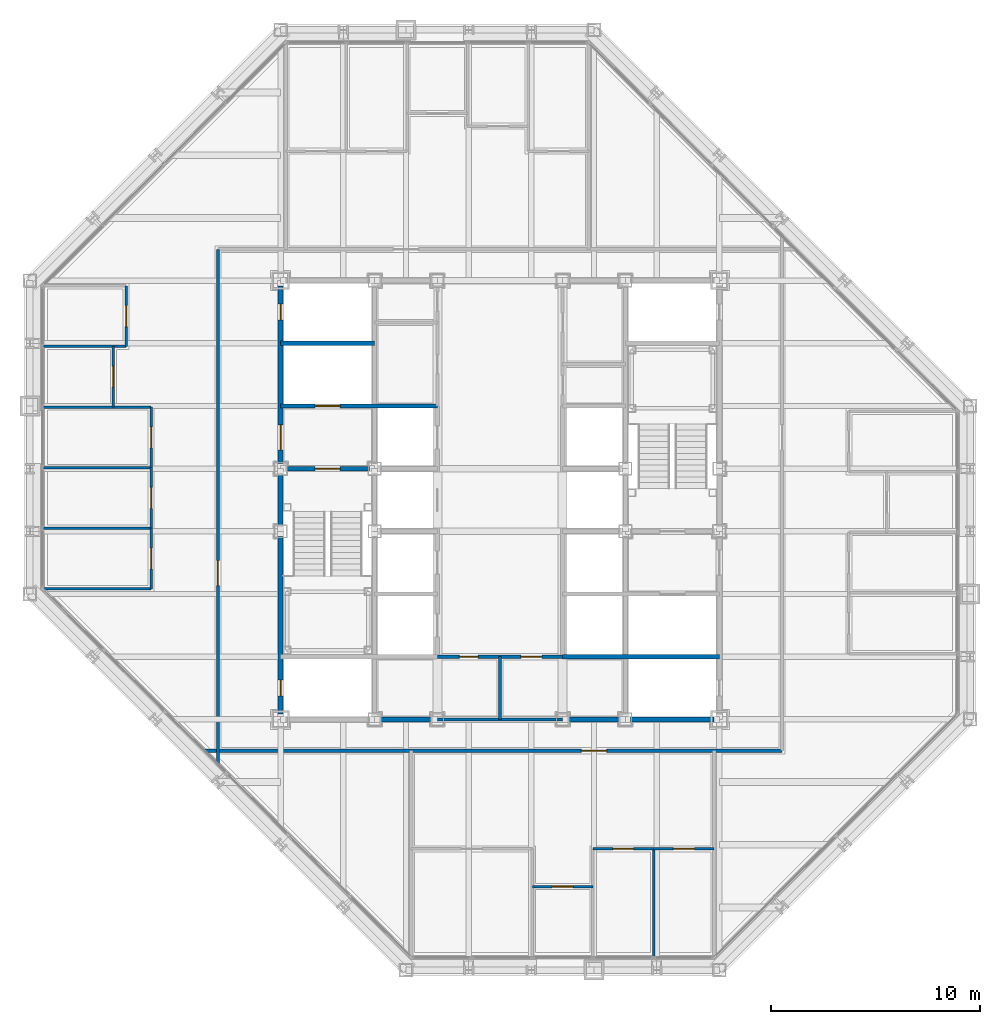
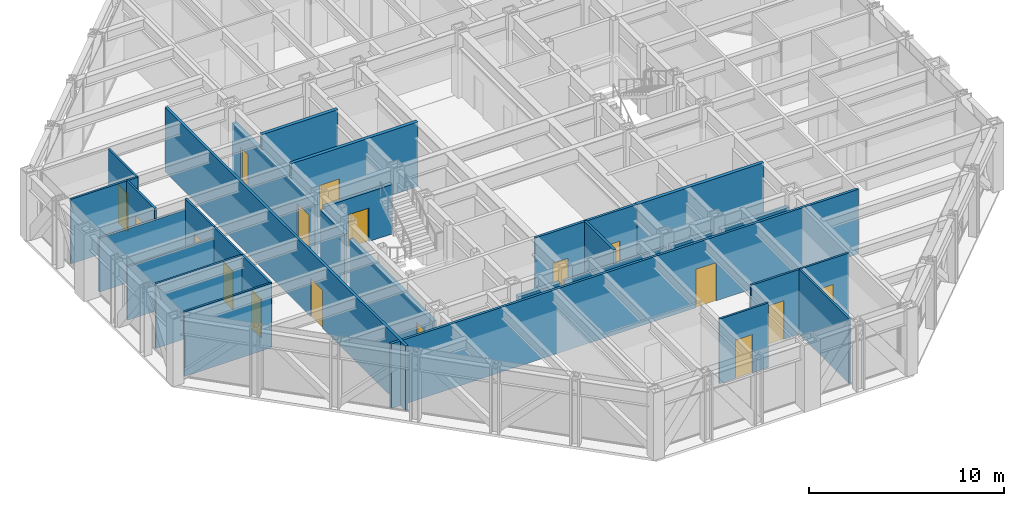
# One storey, part 11 of 16: 29 walls, 17 doors, 17 openings.
"""IFC4 building model written with IfcOpenShell, lengths in metres."""

from ifc_helpers import new_model, si_unit, direction, frame, frame_2d, origin, place, context, subcontext, project, spatial, rectangle, extrude, material, layer, layer_set, type_object, element, fill, save


model = new_model("IFC4")

# Units and contexts
model_context = context("Model", 3, precision=1e-05, world=origin(), true_north=direction((0.0, 1.0)))
body_context = subcontext(model_context, "Body", "Model", "MODEL_VIEW")
ifc_project = project(units=[si_unit("LENGTHUNIT", "METRE"), si_unit("AREAUNIT", "SQUARE_METRE"), si_unit("VOLUMEUNIT", "CUBIC_METRE"), si_unit("PLANEANGLEUNIT", "RADIAN"), si_unit("MASSUNIT", "GRAM", prefix="KILO")], contexts=[model_context])

# Site, building, storey
site_placement = place(None, origin())
site = spatial("IfcSite", under=ifc_project, at=site_placement, CompositionType="ELEMENT")
building_placement = place(site_placement, origin())
building = spatial("IfcBuilding", under=site, at=building_placement, Name="Chuquiago Exchange Tower", CompositionType="ELEMENT")
storey_placement = place(building_placement, frame((0.0, 0.0, 201.300048828125)))
storey = spatial("IfcBuildingStorey", under=building, at=storey_placement, Name="L44", CompositionType="ELEMENT", Elevation=201.300048828125)

# Wall, opening, door
ifc_material_1 = material(Name="Concrete masonry, fully grouted", Category="masonry")
ifc_layer_1 = layer(ifc_material_1, 0.25)
ifc_layer_set_1 = layer_set([ifc_layer_1], Name="W1 core wall 250")
wall_type_1 = type_object("IfcWallType", Name="W1 core wall 250", PredefinedType="SOLIDWALL", material=ifc_layer_set_1)
wall_1_placement = place(storey_placement, frame((12.0, 12.25, 0.0), z_axis=(0.0, 0.0, 1.0), x_axis=(0.0, 1.0, 0.0)))
wall_1 = element("IfcWall", 1, at=wall_1_placement, inside=storey, type_object=wall_type_1, Name="CW-L44-00-0", PredefinedType="SOLIDWALL", context=body_context, shape_type="SweptSolid", body=[
    extrude(rectangle(XDim=8.5, YDim=0.25, at=frame_2d((4.25, 0.0))), origin(), (0.0, 0.0, 1.0), 3.11279296875),
])
opening_1_placement = place(wall_1_placement, frame((0.875, 0.0, 0.0)))
opening_1 = element("IfcOpeningElement", 2, at=opening_1_placement, cuts=wall_1, Name="Opening L44-007", PredefinedType="OPENING", context=body_context, shape_type="SweptSolid", body=[
    extrude(rectangle(XDim=0.75, YDim=2.10009765625, at=frame_2d((0.375, 1.050048828125))), frame((0.0, 0.135009765625, 0.0), z_axis=(0.0, -1.0, 0.0), x_axis=(1.0, 0.0, 0.0)), (0.0, 0.0, 1.0), 0.27001953125),
])
ifc_material_2 = material(Name="Steel door, painted", Category="steel")
door_type_1 = type_object("IfcDoorType", Name="D6 riser access door 750x2100", OperationType="SINGLE_SWING_LEFT", PredefinedType="DOOR", material=ifc_material_2)
door_1_placement = place(opening_1_placement, origin())
door_1 = element("IfcDoor", 3, at=door_1_placement, inside=storey, type_object=door_type_1, Name="Riser RW1 door", OperationType="SINGLE_SWING_LEFT", OverallHeight=2.10009765625, OverallWidth=0.75, PredefinedType="DOOR", context=body_context, shape_type="SweptSolid", body=[
    extrude(rectangle(XDim=0.75, YDim=2.10009765625, at=frame_2d((0.375, 1.050048828125))), frame((0.0, 0.02490234375, 0.0), z_axis=(0.0, -1.0, 0.0), x_axis=(1.0, 0.0, 0.0)), (0.0, 0.0, 1.0), 0.050048828125),
])
fill(opening_1, door_1)

# Wall
wall_2_placement = place(storey_placement, frame((12.0, 21.25, 0.0), z_axis=(0.0, 0.0, 1.0), x_axis=(0.0, 1.0, 0.0)))
element("IfcWall", 4, at=wall_2_placement, inside=storey, type_object=wall_type_1, Name="CW-L44-00-1", PredefinedType="SOLIDWALL", context=body_context, shape_type="SweptSolid", body=[
    extrude(rectangle(XDim=2.5, YDim=0.25, at=frame_2d((1.25, 0.0))), origin(), (0.0, 0.0, 1.0), 3.11279296875),
])

# Wall, openings, doors
wall_3_placement = place(storey_placement, frame((12.0, 24.25, 0.0), z_axis=(0.0, 0.0, 1.0), x_axis=(0.0, 1.0, 0.0)))
wall_3 = element("IfcWall", 5, at=wall_3_placement, inside=storey, type_object=wall_type_1, Name="CW-L44-00-2", PredefinedType="SOLIDWALL", context=body_context, shape_type="SweptSolid", body=[
    extrude(rectangle(XDim=8.5, YDim=0.25, at=frame_2d((4.25, 0.0))), origin(), (0.0, 0.0, 1.0), 3.11279296875),
])
opening_2_placement = place(wall_3_placement, frame((0.64990234375, 0.0, 0.0)))
opening_2 = element("IfcOpeningElement", 6, at=opening_2_placement, cuts=wall_3, Name="Opening L44-002", PredefinedType="OPENING", context=body_context, shape_type="SweptSolid", body=[
    extrude(rectangle(XDim=1.199951171875, YDim=2.10009765625, at=frame_2d((0.60009765625, 1.050048828125))), frame((0.0, 0.135009765625, 0.0), z_axis=(0.0, -1.0, 0.0), x_axis=(1.0, 0.0, 0.0)), (0.0, 0.0, 1.0), 0.27001953125),
])
opening_3_placement = place(wall_3_placement, frame((6.875, 0.0, 0.0)))
opening_3 = element("IfcOpeningElement", 7, at=opening_3_placement, cuts=wall_3, Name="Opening L44-008", PredefinedType="OPENING", context=body_context, shape_type="SweptSolid", body=[
    extrude(rectangle(XDim=0.75, YDim=2.10009765625, at=frame_2d((0.375, 1.050048828125))), frame((0.0, 0.135009765625, 0.0), z_axis=(0.0, -1.0, 0.0), x_axis=(1.0, 0.0, 0.0)), (0.0, 0.0, 1.0), 0.27001953125),
])
ifc_material_3 = material(Name="Steel door, painted", Category="steel")
door_type_2 = type_object("IfcDoorType", Name="D5 firefighting lobby door 1200x2100", OperationType="SINGLE_SWING_LEFT", PredefinedType="DOOR", material=ifc_material_3)
door_2_placement = place(opening_2_placement, frame((1.199951171875, 0.0, 0.0), z_axis=(0.0, 0.0, 1.0), x_axis=(-1.0, 0.0, 0.0)))
door_2 = element("IfcDoor", 8, at=door_2_placement, inside=storey, type_object=door_type_2, Name="Firefighting lobby 1 door", OperationType="SINGLE_SWING_RIGHT", OverallHeight=2.10009765625, OverallWidth=1.199951171875, PredefinedType="DOOR", context=body_context, shape_type="SweptSolid", body=[
    extrude(rectangle(XDim=1.199951171875, YDim=2.10009765625, at=frame_2d((0.60009765625, 1.050048828125))), frame((0.0, 0.02490234375, 0.0), z_axis=(0.0, -1.0, 0.0), x_axis=(1.0, 0.0, 0.0)), (0.0, 0.0, 1.0), 0.050048828125),
])
fill(opening_2, door_2)
door_3_placement = place(opening_3_placement, origin())
door_3 = element("IfcDoor", 9, at=door_3_placement, inside=storey, type_object=door_type_1, Name="Riser RW2 door", OperationType="SINGLE_SWING_RIGHT", OverallHeight=2.10009765625, OverallWidth=0.75, PredefinedType="DOOR", context=body_context, shape_type="SweptSolid", body=[
    extrude(rectangle(XDim=0.75, YDim=2.10009765625, at=frame_2d((0.375, 1.050048828125))), frame((0.0, 0.02490234375, 0.0), z_axis=(0.0, -1.0, 0.0), x_axis=(1.0, 0.0, 0.0)), (0.0, 0.0, 1.0), 0.050048828125),
])
fill(opening_3, door_3)

# Walls
for number, where, z_axis, x_axis, name in (
    (10, (16.75, 12.0, 0.0), (0.0, 0.0, 1.0), (1.0, 0.0, 0.0), "CW-L44-01-1"),
    (11, (25.75, 12.0, 0.0), (0.0, 0.0, 1.0), (1.0, 0.0, 0.0), "CW-L44-02-0"),
):
    element("IfcWall", number, at=place(storey_placement, frame(where, z_axis=z_axis, x_axis=x_axis)), inside=storey, type_object=wall_type_1, Name=name, PredefinedType="SOLIDWALL", context=body_context, shape_type="SweptSolid", body=[
        extrude(rectangle(XDim=2.5, YDim=0.25, at=frame_2d((1.25, 0.0))), origin(), (0.0, 0.0, 1.0), 3.181396484375),
    ])
wall_4_placement = place(storey_placement, frame((28.75, 12.0, 0.0), z_axis=(0.0, 0.0, 1.0), x_axis=(1.0, 0.0, 0.0)))
element("IfcWall", 12, at=wall_4_placement, inside=storey, type_object=wall_type_1, Name="CW-L44-02-1", PredefinedType="SOLIDWALL", context=body_context, shape_type="SweptSolid", body=[
    extrude(rectangle(XDim=4.0, YDim=0.25, at=frame_2d((2.0, 0.0))), origin(), (0.0, 0.0, 1.0), 3.181396484375),
])

# Wall, opening, door
ifc_material_4 = material(Name="Gypsum board on steel studs, acoustic insulation", Category="steel")
ifc_layer_2 = layer(ifc_material_4, 0.14990234375)
ifc_layer_set_2 = layer_set([ifc_layer_2], Name="W11 corridor wall 150")
wall_type_2 = type_object("IfcWallType", Name="W11 corridor wall 150", PredefinedType="PARTITIONING", material=ifc_layer_set_2)
wall_5_placement = place(storey_placement, frame((8.385498046875, 10.5, 0.0), z_axis=(0.0, 0.0, 1.0), x_axis=(1.0, 0.0, 0.0)))
wall_5 = element("IfcWall", 13, at=wall_5_placement, inside=storey, type_object=wall_type_2, Name="PW-L44-CS", PredefinedType="PARTITIONING", context=body_context, shape_type="SweptSolid", body=[
    extrude(rectangle(XDim=27.614501953125, YDim=0.14990234375, at=frame_2d((13.80712890625, 0.0))), origin(), (0.0, 0.0, 1.0), 4.0400390625),
])
opening_4_placement = place(wall_5_placement, frame((18.014404296875, 0.0, 0.0)))
opening_4 = element("IfcOpeningElement", 14, at=opening_4_placement, cuts=wall_5, Name="Opening L44-039", PredefinedType="OPENING", context=body_context, shape_type="SweptSolid", body=[
    extrude(rectangle(XDim=1.199951171875, YDim=2.39990234375, at=frame_2d((0.60009765625, 1.199951171875))), frame((0.0, 0.0849609375, 0.0), z_axis=(0.0, -1.0, 0.0), x_axis=(1.0, 0.0, 0.0)), (0.0, 0.0, 1.0), 0.169921875),
])
ifc_material_5 = material(Name="Timber door, laminate faced", Category="wood")
door_type_3 = type_object("IfcDoorType", Name="D13 suite entrance door 1200x2400", OperationType="SINGLE_SWING_LEFT", PredefinedType="DOOR", material=ifc_material_5)
door_4_placement = place(opening_4_placement, frame((1.199951171875, 0.0, 0.0), z_axis=(0.0, 0.0, 1.0), x_axis=(-1.0, 0.0, 0.0)))
door_4 = element("IfcDoor", 15, at=door_4_placement, inside=storey, type_object=door_type_3, Name="South suite entrance door", OperationType="SINGLE_SWING_LEFT", OverallHeight=2.39990234375, OverallWidth=1.199951171875, PredefinedType="DOOR", context=body_context, shape_type="SweptSolid", body=[
    extrude(rectangle(XDim=1.199951171875, YDim=2.39990234375, at=frame_2d((0.60009765625, 1.199951171875))), frame((0.0, 0.02490234375, 0.0), z_axis=(0.0, -1.0, 0.0), x_axis=(1.0, 0.0, 0.0)), (0.0, 0.0, 1.0), 0.050048828125),
])
fill(opening_4, door_4)

wall_6_placement = place(storey_placement, frame((9.0, 9.885498046875, 0.0), z_axis=(0.0, 0.0, 1.0), x_axis=(0.0, 1.0, 0.0)))
wall_6 = element("IfcWall", 16, at=wall_6_placement, inside=storey, type_object=wall_type_2, Name="PW-L44-CW", PredefinedType="PARTITIONING", context=body_context, shape_type="SweptSolid", body=[
    extrude(rectangle(XDim=24.614501953125, YDim=0.14990234375, at=frame_2d((12.30712890625, 0.0))), origin(), (0.0, 0.0, 1.0), 4.0400390625),
])
opening_5_placement = place(wall_6_placement, frame((8.514404296875, 0.0, 0.0)))
opening_5 = element("IfcOpeningElement", 17, at=opening_5_placement, cuts=wall_6, Name="Opening L44-041", PredefinedType="OPENING", context=body_context, shape_type="SweptSolid", body=[
    extrude(rectangle(XDim=1.199951171875, YDim=2.39990234375, at=frame_2d((0.60009765625, 1.199951171875))), frame((0.0, 0.0849609375, 0.0), z_axis=(0.0, -1.0, 0.0), x_axis=(1.0, 0.0, 0.0)), (0.0, 0.0, 1.0), 0.169921875),
])
door_5_placement = place(opening_5_placement, origin())
door_5 = element("IfcDoor", 18, at=door_5_placement, inside=storey, type_object=door_type_3, Name="West suite entrance door", OperationType="SINGLE_SWING_LEFT", OverallHeight=2.39990234375, OverallWidth=1.199951171875, PredefinedType="DOOR", context=body_context, shape_type="SweptSolid", body=[
    extrude(rectangle(XDim=1.199951171875, YDim=2.39990234375, at=frame_2d((0.60009765625, 1.199951171875))), frame((0.0, 0.02490234375, 0.0), z_axis=(0.0, -1.0, 0.0), x_axis=(1.0, 0.0, 0.0)), (0.0, 0.0, 1.0), 0.050048828125),
])
fill(opening_5, door_5)

# Wall
ifc_material_6 = material(Name="Concrete masonry, fully grouted", Category="masonry")
ifc_layer_3 = layer(ifc_material_6, 0.199951171875)
ifc_layer_set_3 = layer_set([ifc_layer_3], Name="W2 shaft wall 200")
wall_type_3 = type_object("IfcWallType", Name="W2 shaft wall 200", PredefinedType="SOLIDWALL", material=ifc_layer_set_3)
wall_7_placement = place(storey_placement, frame((25.5, 15.0, 0.0), z_axis=(0.0, 0.0, 1.0), x_axis=(1.0, 0.0, 0.0)))
element("IfcWall", 19, at=wall_7_placement, inside=storey, type_object=wall_type_3, Name="CW-L44-04-0", PredefinedType="SOLIDWALL", context=body_context, shape_type="SweptSolid", body=[
    extrude(rectangle(XDim=7.5, YDim=0.199951171875, at=frame_2d((3.75, 0.0))), origin(), (0.0, 0.0, 1.0), 4.0400390625),
])

# Wall, opening, door
wall_8_placement = place(storey_placement, frame((12.25, 24.0, 0.0), z_axis=(0.0, 0.0, 1.0), x_axis=(1.0, 0.0, 0.0)))
wall_8 = element("IfcWall", 20, at=wall_8_placement, inside=storey, type_object=wall_type_3, Name="CW-L44-05-0", PredefinedType="SOLIDWALL", context=body_context, shape_type="SweptSolid", body=[
    extrude(rectangle(XDim=4.0, YDim=0.199951171875, at=frame_2d((2.0, 0.0))), origin(), (0.0, 0.0, 1.0), 3.08984375),
])
opening_6_placement = place(wall_8_placement, frame((1.39990234375, 0.0, 0.0)))
opening_6 = element("IfcOpeningElement", 21, at=opening_6_placement, cuts=wall_8, Name="Opening L44-001", PredefinedType="OPENING", context=body_context, shape_type="SweptSolid", body=[
    extrude(rectangle(XDim=1.199951171875, YDim=2.10009765625, at=frame_2d((0.60009765625, 1.050048828125))), frame((0.0, 0.10986328125, 0.0), z_axis=(0.0, -1.0, 0.0), x_axis=(1.0, 0.0, 0.0)), (0.0, 0.0, 1.0), 0.219970703125),
])
ifc_material_7 = material(Name="Steel door, painted", Category="steel")
door_type_4 = type_object("IfcDoorType", Name="D4 stair door 1200x2100", OperationType="SINGLE_SWING_LEFT", PredefinedType="DOOR", material=ifc_material_7)
door_6_placement = place(opening_6_placement, frame((1.199951171875, 0.0, 0.0), z_axis=(0.0, 0.0, 1.0), x_axis=(-1.0, 0.0, 0.0)))
door_6 = element("IfcDoor", 22, at=door_6_placement, inside=storey, type_object=door_type_4, Name="Stair ST1 door", OperationType="SINGLE_SWING_RIGHT", OverallHeight=2.10009765625, OverallWidth=1.199951171875, PredefinedType="DOOR", context=body_context, shape_type="SweptSolid", body=[
    extrude(rectangle(XDim=1.199951171875, YDim=2.10009765625, at=frame_2d((0.60009765625, 1.050048828125))), frame((0.0, 0.02490234375, 0.0), z_axis=(0.0, -1.0, 0.0), x_axis=(1.0, 0.0, 0.0)), (0.0, 0.0, 1.0), 0.050048828125),
])
fill(opening_6, door_6)

wall_9_placement = place(storey_placement, frame((12.0, 27.0, 0.0), z_axis=(0.0, 0.0, 1.0), x_axis=(1.0, 0.0, 0.0)))
wall_9 = element("IfcWall", 23, at=wall_9_placement, inside=storey, type_object=wall_type_3, Name="CW-L44-07-0", PredefinedType="SOLIDWALL", context=body_context, shape_type="SweptSolid", body=[
    extrude(rectangle(XDim=7.5, YDim=0.199951171875, at=frame_2d((3.75, 0.0))), origin(), (0.0, 0.0, 1.0), 4.0400390625),
])
opening_7_placement = place(wall_9_placement, frame((1.64990234375, 0.0, 0.0)))
opening_7 = element("IfcOpeningElement", 24, at=opening_7_placement, cuts=wall_9, Name="Opening L44-005", PredefinedType="OPENING", context=body_context, shape_type="SweptSolid", body=[
    extrude(rectangle(XDim=1.199951171875, YDim=2.10009765625, at=frame_2d((0.60009765625, 1.050048828125))), frame((0.0, 0.10986328125, 0.0), z_axis=(0.0, -1.0, 0.0), x_axis=(1.0, 0.0, 0.0)), (0.0, 0.0, 1.0), 0.219970703125),
])
ifc_material_8 = material(Name="Stainless steel lift landing door", Category="steel")
door_type_5 = type_object("IfcDoorType", Name="LD2 firefighting lift landing door 1200x2100", OperationType="DOUBLE_DOOR_SLIDING", PredefinedType="DOOR", material=ifc_material_8)
door_7_placement = place(opening_7_placement, origin())
door_7 = element("IfcDoor", 25, at=door_7_placement, inside=storey, type_object=door_type_5, Name="Firefighting lift FL1 landing door", OperationType="DOUBLE_DOOR_SLIDING", OverallHeight=2.10009765625, OverallWidth=1.199951171875, PredefinedType="DOOR", context=body_context, shape_type="SweptSolid", body=[
    extrude(rectangle(XDim=1.199951171875, YDim=2.10009765625, at=frame_2d((0.60009765625, 1.050048828125))), frame((0.0, 0.02490234375, 0.0), z_axis=(0.0, -1.0, 0.0), x_axis=(1.0, 0.0, 0.0)), (0.0, 0.0, 1.0), 0.050048828125),
])
fill(opening_7, door_7)

# Wall
wall_10_placement = place(storey_placement, frame((12.0, 30.0, 0.0), z_axis=(0.0, 0.0, 1.0), x_axis=(1.0, 0.0, 0.0)))
element("IfcWall", 26, at=wall_10_placement, inside=storey, type_object=wall_type_3, Name="CW-L44-09-0", PredefinedType="SOLIDWALL", context=body_context, shape_type="SweptSolid", body=[
    extrude(rectangle(XDim=4.5, YDim=0.199951171875, at=frame_2d((2.25, 0.0))), origin(), (0.0, 0.0, 1.0), 4.0400390625),
])

# Wall, openings, doors
ifc_material_9 = material(Name="Gypsum board on steel studs", Category="steel")
ifc_layer_4 = layer(ifc_material_9, 0.14990234375)
ifc_layer_set_4 = layer_set([ifc_layer_4], Name="W3 core partition 150")
wall_type_4 = type_object("IfcWallType", Name="W3 core partition 150", PredefinedType="PARTITIONING", material=ifc_layer_set_4)
wall_11_placement = place(storey_placement, frame((19.5, 15.0, 0.0), z_axis=(0.0, 0.0, 1.0), x_axis=(1.0, 0.0, 0.0)))
wall_11 = element("IfcWall", 27, at=wall_11_placement, inside=storey, type_object=wall_type_4, Name="CW-L44-TF", PredefinedType="PARTITIONING", context=body_context, shape_type="SweptSolid", body=[
    extrude(rectangle(XDim=6.0, YDim=0.14990234375, at=frame_2d((3.0, 0.0))), origin(), (0.0, 0.0, 1.0), 4.0400390625),
])
opening_8_placement = place(wall_11_placement, frame((4.0, 0.0, 0.0)))
opening_8 = element("IfcOpeningElement", 28, at=opening_8_placement, cuts=wall_11, Name="Opening L44-015", PredefinedType="OPENING", context=body_context, shape_type="SweptSolid", body=[
    extrude(rectangle(XDim=1.0, YDim=2.10009765625, at=frame_2d((0.5, 1.050048828125))), frame((0.0, 0.0849609375, 0.0), z_axis=(0.0, -1.0, 0.0), x_axis=(1.0, 0.0, 0.0)), (0.0, 0.0, 1.0), 0.169921875),
])
opening_9_placement = place(wall_11_placement, frame((1.050048828125, 0.0, 0.0)))
opening_9 = element("IfcOpeningElement", 29, at=opening_9_placement, cuts=wall_11, Name="Opening L44-016", PredefinedType="OPENING", context=body_context, shape_type="SweptSolid", body=[
    extrude(rectangle(XDim=0.89990234375, YDim=2.10009765625, at=frame_2d((0.449951171875, 1.050048828125))), frame((0.0, 0.0849609375, 0.0), z_axis=(0.0, -1.0, 0.0), x_axis=(1.0, 0.0, 0.0)), (0.0, 0.0, 1.0), 0.169921875),
])
ifc_material_10 = material(Name="Timber door, laminate faced", Category="wood")
door_type_6 = type_object("IfcDoorType", Name="D7 toilet door 900x2100", OperationType="SINGLE_SWING_LEFT", PredefinedType="DOOR", material=ifc_material_10)
door_8_placement = place(opening_9_placement, origin())
door_8 = element("IfcDoor", 30, at=door_8_placement, inside=storey, type_object=door_type_6, Name="Cleaner door", OperationType="SINGLE_SWING_LEFT", OverallHeight=2.10009765625, OverallWidth=0.89990234375, PredefinedType="DOOR", context=body_context, shape_type="SweptSolid", body=[
    extrude(rectangle(XDim=0.89990234375, YDim=2.10009765625, at=frame_2d((0.449951171875, 1.050048828125))), frame((0.0, 0.02490234375, 0.0), z_axis=(0.0, -1.0, 0.0), x_axis=(1.0, 0.0, 0.0)), (0.0, 0.0, 1.0), 0.050048828125),
])
fill(opening_9, door_8)
ifc_material_11 = material(Name="Timber door, laminate faced", Category="wood")
door_type_7 = type_object("IfcDoorType", Name="D8 accessible toilet door 1000x2100", OperationType="SLIDING_TO_LEFT", PredefinedType="DOOR", material=ifc_material_11)
door_9_placement = place(opening_8_placement, origin())
door_9 = element("IfcDoor", 31, at=door_9_placement, inside=storey, type_object=door_type_7, Name="Accessible WC door", OperationType="SLIDING_TO_LEFT", OverallHeight=2.10009765625, OverallWidth=1.0, PredefinedType="DOOR", context=body_context, shape_type="SweptSolid", body=[
    extrude(rectangle(XDim=1.0, YDim=2.10009765625, at=frame_2d((0.5, 1.050048828125))), frame((0.0, 0.02490234375, 0.0), z_axis=(0.0, -1.0, 0.0), x_axis=(1.0, 0.0, 0.0)), (0.0, 0.0, 1.0), 0.050048828125),
])
fill(opening_8, door_9)

# Walls
wall_12_placement = place(storey_placement, frame((22.5, 15.0, 0.0), z_axis=(0.0, 0.0, 1.0), x_axis=(0.0, -1.0, 0.0)))
element("IfcWall", 32, at=wall_12_placement, inside=storey, type_object=wall_type_4, Name="CW-L44-TM", PredefinedType="PARTITIONING", context=body_context, shape_type="SweptSolid", body=[
    extrude(rectangle(XDim=3.0, YDim=0.14990234375, at=frame_2d((1.5, 0.0))), origin(), (0.0, 0.0, 1.0), 4.0400390625),
])
wall_13_placement = place(storey_placement, frame((19.5, 12.0, 0.0), z_axis=(0.0, 0.0, 1.0), x_axis=(1.0, 0.0, 0.0)))
element("IfcWall", 33, at=wall_13_placement, inside=storey, type_object=wall_type_4, Name="CW-L44-TB", PredefinedType="PARTITIONING", context=body_context, shape_type="SweptSolid", body=[
    extrude(rectangle(XDim=6.0, YDim=0.14990234375, at=frame_2d((3.0, 0.0))), origin(), (0.0, 0.0, 1.0), 3.181396484375),
])
ifc_material_12 = material(Name="Gypsum board on steel studs", Category="steel")
ifc_layer_5 = layer(ifc_material_12, 0.1201171875)
ifc_layer_set_5 = layer_set([ifc_layer_5], Name="W4 partition 120")
wall_type_5 = type_object("IfcWallType", Name="W4 partition 120", PredefinedType="PARTITIONING", material=ifc_layer_set_5)
wall_14_placement = place(storey_placement, frame((29.850830078125, 0.652587890625, 0.0), z_axis=(0.0, 0.0, 1.0), x_axis=(0.0, 1.0, 0.0)))
element("IfcWall", 34, at=wall_14_placement, inside=storey, type_object=wall_type_5, Name="PW-L44-S02985", PredefinedType="PARTITIONING", context=body_context, shape_type="SweptSolid", body=[
    extrude(rectangle(XDim=5.1474609375, YDim=0.1201171875, at=frame_2d((2.57373046875, 0.0))), origin(), (0.0, 0.0, 1.0), 4.0400390625),
])

# Wall, opening, door
wall_15_placement = place(storey_placement, frame((24.0498046875, 4.0, 0.0), z_axis=(0.0, 0.0, 1.0), x_axis=(1.0, 0.0, 0.0)))
wall_15 = element("IfcWall", 35, at=wall_15_placement, inside=storey, type_object=wall_type_5, Name="PW-L44-SF02405", PredefinedType="PARTITIONING", context=body_context, shape_type="SweptSolid", body=[
    extrude(rectangle(XDim=2.900390625, YDim=0.1201171875, at=frame_2d((1.4501953125, 0.0))), origin(), (0.0, 0.0, 1.0), 4.0400390625),
])
opening_10_placement = place(wall_15_placement, frame((0.9501953125, 0.0, 0.0)))
opening_10 = element("IfcOpeningElement", 36, at=opening_10_placement, cuts=wall_15, Name="Opening L44-022", PredefinedType="OPENING", context=body_context, shape_type="SweptSolid", body=[
    extrude(rectangle(XDim=1.0, YDim=2.39990234375, at=frame_2d((0.5, 1.199951171875))), frame((0.0, 0.070068359375, 0.0), z_axis=(0.0, -1.0, 0.0), x_axis=(1.0, 0.0, 0.0)), (0.0, 0.0, 1.0), 0.14013671875),
])
ifc_material_13 = material(Name="Timber frame door, full height glazed panel", Category="wood")
door_type_8 = type_object("IfcDoorType", Name="D14 glazed meeting room door 1000x2400", OperationType="SINGLE_SWING_LEFT", PredefinedType="DOOR", material=ifc_material_13)
door_10_placement = place(opening_10_placement, frame((1.0, 0.0, 0.0), z_axis=(0.0, 0.0, 1.0), x_axis=(-1.0, 0.0, 0.0)))
door_10 = element("IfcDoor", 37, at=door_10_placement, inside=storey, type_object=door_type_8, Name="Focus room door", OperationType="SINGLE_SWING_LEFT", OverallHeight=2.39990234375, OverallWidth=1.0, PredefinedType="DOOR", context=body_context, shape_type="SweptSolid", body=[
    extrude(rectangle(XDim=1.0, YDim=2.39990234375, at=frame_2d((0.5, 1.199951171875))), frame((0.0, 0.02490234375, 0.0), z_axis=(0.0, -1.0, 0.0), x_axis=(1.0, 0.0, 0.0)), (0.0, 0.0, 1.0), 0.050048828125),
])
fill(opening_10, door_10)

wall_16_placement = place(storey_placement, frame((26.9501953125, 5.800048828125, 0.0), z_axis=(0.0, 0.0, 1.0), x_axis=(1.0, 0.0, 0.0)))
wall_16 = element("IfcWall", 38, at=wall_16_placement, inside=storey, type_object=wall_type_5, Name="PW-L44-SF02695", PredefinedType="PARTITIONING", context=body_context, shape_type="SweptSolid", body=[
    extrude(rectangle(XDim=2.900634765625, YDim=0.1201171875, at=frame_2d((1.4501953125, 0.0))), origin(), (0.0, 0.0, 1.0), 4.0400390625),
])
opening_11_placement = place(wall_16_placement, frame((0.9501953125, 0.0, 0.0)))
opening_11 = element("IfcOpeningElement", 39, at=opening_11_placement, cuts=wall_16, Name="Opening L44-023", PredefinedType="OPENING", context=body_context, shape_type="SweptSolid", body=[
    extrude(rectangle(XDim=1.0, YDim=2.39990234375, at=frame_2d((0.5, 1.199951171875))), frame((0.0, 0.070068359375, 0.0), z_axis=(0.0, -1.0, 0.0), x_axis=(1.0, 0.0, 0.0)), (0.0, 0.0, 1.0), 0.14013671875),
])
ifc_material_14 = material(Name="Timber door, laminate faced", Category="wood")
door_type_9 = type_object("IfcDoorType", Name="D9 room door 1000x2400", OperationType="SINGLE_SWING_LEFT", PredefinedType="DOOR", material=ifc_material_14)
door_11_placement = place(opening_11_placement, frame((1.0, 0.0, 0.0), z_axis=(0.0, 0.0, 1.0), x_axis=(-1.0, 0.0, 0.0)))
door_11 = element("IfcDoor", 40, at=door_11_placement, inside=storey, type_object=door_type_9, Name="Office door", OperationType="SINGLE_SWING_RIGHT", OverallHeight=2.39990234375, OverallWidth=1.0, PredefinedType="DOOR", context=body_context, shape_type="SweptSolid", body=[
    extrude(rectangle(XDim=1.0, YDim=2.39990234375, at=frame_2d((0.5, 1.199951171875))), frame((0.0, 0.02490234375, 0.0), z_axis=(0.0, -1.0, 0.0), x_axis=(1.0, 0.0, 0.0)), (0.0, 0.0, 1.0), 0.050048828125),
])
fill(opening_11, door_11)

wall_17_placement = place(storey_placement, frame((29.850830078125, 5.800048828125, 0.0), z_axis=(0.0, 0.0, 1.0), x_axis=(1.0, 0.0, 0.0)))
wall_17 = element("IfcWall", 41, at=wall_17_placement, inside=storey, type_object=wall_type_5, Name="PW-L44-SF02985", PredefinedType="PARTITIONING", context=body_context, shape_type="SweptSolid", body=[
    extrude(rectangle(XDim=2.900634765625, YDim=0.1201171875, at=frame_2d((1.4501953125, 0.0))), origin(), (0.0, 0.0, 1.0), 4.0400390625),
])
opening_12_placement = place(wall_17_placement, frame((0.9501953125, 0.0, 0.0)))
opening_12 = element("IfcOpeningElement", 42, at=opening_12_placement, cuts=wall_17, Name="Opening L44-024", PredefinedType="OPENING", context=body_context, shape_type="SweptSolid", body=[
    extrude(rectangle(XDim=1.0, YDim=2.39990234375, at=frame_2d((0.5, 1.199951171875))), frame((0.0, 0.070068359375, 0.0), z_axis=(0.0, -1.0, 0.0), x_axis=(1.0, 0.0, 0.0)), (0.0, 0.0, 1.0), 0.14013671875),
])
door_12_placement = place(opening_12_placement, frame((1.0, 0.0, 0.0), z_axis=(0.0, 0.0, 1.0), x_axis=(-1.0, 0.0, 0.0)))
door_12 = element("IfcDoor", 43, at=door_12_placement, inside=storey, type_object=door_type_9, Name="Office door", OperationType="SINGLE_SWING_LEFT", OverallHeight=2.39990234375, OverallWidth=1.0, PredefinedType="DOOR", context=body_context, shape_type="SweptSolid", body=[
    extrude(rectangle(XDim=1.0, YDim=2.39990234375, at=frame_2d((0.5, 1.199951171875))), frame((0.0, 0.02490234375, 0.0), z_axis=(0.0, -1.0, 0.0), x_axis=(1.0, 0.0, 0.0)), (0.0, 0.0, 1.0), 0.050048828125),
])
fill(opening_12, door_12)

# Walls
wall_18_placement = place(storey_placement, frame((0.666015625, 18.24853515625, 0.0), z_axis=(0.0, 0.0, 1.0), x_axis=(1.0, 0.0, 0.0)))
element("IfcWall", 44, at=wall_18_placement, inside=storey, type_object=wall_type_5, Name="PW-L44-W01825", PredefinedType="PARTITIONING", context=body_context, shape_type="SweptSolid", body=[
    extrude(rectangle(XDim=5.134033203125, YDim=0.1201171875, at=frame_2d((2.56689453125, 0.0))), origin(), (0.0, 0.0, 1.0), 4.0400390625),
])
wall_19_placement = place(storey_placement, frame((0.652587890625, 21.149169921875, 0.0), z_axis=(0.0, 0.0, 1.0), x_axis=(1.0, 0.0, 0.0)))
element("IfcWall", 45, at=wall_19_placement, inside=storey, type_object=wall_type_5, Name="PW-L44-W02115", PredefinedType="PARTITIONING", context=body_context, shape_type="SweptSolid", body=[
    extrude(rectangle(XDim=5.1474609375, YDim=0.1201171875, at=frame_2d((2.57373046875, 0.0))), origin(), (0.0, 0.0, 1.0), 4.0400390625),
])
for number, where, z_axis, x_axis, name in (
    (46, (0.652587890625, 24.0498046875, 0.0), (0.0, 0.0, 1.0), (1.0, 0.0, 0.0), "PW-L44-W02405"),
    (47, (0.652587890625, 26.9501953125, 0.0), (0.0, 0.0, 1.0), (1.0, 0.0, 0.0), "PW-L44-W02695"),
):
    element("IfcWall", number, at=place(storey_placement, frame(where, z_axis=z_axis, x_axis=x_axis)), inside=storey, type_object=wall_type_5, Name=name, PredefinedType="PARTITIONING", context=body_context, shape_type="SweptSolid", body=[
        extrude(rectangle(XDim=5.1474609375, YDim=0.1201171875, at=frame_2d((2.57373046875, 0.0))), origin(), (0.0, 0.0, 1.0), 3.356689453125),
    ])
wall_20_placement = place(storey_placement, frame((0.652587890625, 29.850830078125, 0.0), z_axis=(0.0, 0.0, 1.0), x_axis=(1.0, 0.0, 0.0)))
element("IfcWall", 48, at=wall_20_placement, inside=storey, type_object=wall_type_5, Name="PW-L44-W02985", PredefinedType="PARTITIONING", context=body_context, shape_type="SweptSolid", body=[
    extrude(rectangle(XDim=3.947509765625, YDim=0.1201171875, at=frame_2d((1.9736328125, 0.0))), origin(), (0.0, 0.0, 1.0), 4.0400390625),
])

# Wall, opening, door
wall_21_placement = place(storey_placement, frame((5.800048828125, 18.24853515625, 0.0), z_axis=(0.0, 0.0, 1.0), x_axis=(0.0, 1.0, 0.0)))
wall_21 = element("IfcWall", 49, at=wall_21_placement, inside=storey, type_object=wall_type_5, Name="PW-L44-WF01825", PredefinedType="PARTITIONING", context=body_context, shape_type="SweptSolid", body=[
    extrude(rectangle(XDim=2.900634765625, YDim=0.1201171875, at=frame_2d((1.4501953125, 0.0))), origin(), (0.0, 0.0, 1.0), 4.0400390625),
])
opening_13_placement = place(wall_21_placement, frame((0.9501953125, 0.0, 0.0)))
opening_13 = element("IfcOpeningElement", 50, at=opening_13_placement, cuts=wall_21, Name="Opening L44-034", PredefinedType="OPENING", context=body_context, shape_type="SweptSolid", body=[
    extrude(rectangle(XDim=1.0, YDim=2.39990234375, at=frame_2d((0.5, 1.199951171875))), frame((0.0, 0.070068359375, 0.0), z_axis=(0.0, -1.0, 0.0), x_axis=(1.0, 0.0, 0.0)), (0.0, 0.0, 1.0), 0.14013671875),
])
door_13_placement = place(opening_13_placement, origin())
door_13 = element("IfcDoor", 51, at=door_13_placement, inside=storey, type_object=door_type_8, Name="Meeting room door", OperationType="SINGLE_SWING_LEFT", OverallHeight=2.39990234375, OverallWidth=1.0, PredefinedType="DOOR", context=body_context, shape_type="SweptSolid", body=[
    extrude(rectangle(XDim=1.0, YDim=2.39990234375, at=frame_2d((0.5, 1.199951171875))), frame((0.0, 0.02490234375, 0.0), z_axis=(0.0, -1.0, 0.0), x_axis=(1.0, 0.0, 0.0)), (0.0, 0.0, 1.0), 0.050048828125),
])
fill(opening_13, door_13)

wall_22_placement = place(storey_placement, frame((5.800048828125, 21.149169921875, 0.0), z_axis=(0.0, 0.0, 1.0), x_axis=(0.0, 1.0, 0.0)))
wall_22 = element("IfcWall", 52, at=wall_22_placement, inside=storey, type_object=wall_type_5, Name="PW-L44-WF02115", PredefinedType="PARTITIONING", context=body_context, shape_type="SweptSolid", body=[
    extrude(rectangle(XDim=2.900634765625, YDim=0.1201171875, at=frame_2d((1.4501953125, 0.0))), origin(), (0.0, 0.0, 1.0), 4.0400390625),
])
opening_14_placement = place(wall_22_placement, frame((0.9501953125, 0.0, 0.0)))
opening_14 = element("IfcOpeningElement", 53, at=opening_14_placement, cuts=wall_22, Name="Opening L44-035", PredefinedType="OPENING", context=body_context, shape_type="SweptSolid", body=[
    extrude(rectangle(XDim=1.0, YDim=2.39990234375, at=frame_2d((0.5, 1.199951171875))), frame((0.0, 0.070068359375, 0.0), z_axis=(0.0, -1.0, 0.0), x_axis=(1.0, 0.0, 0.0)), (0.0, 0.0, 1.0), 0.14013671875),
])
door_14_placement = place(opening_14_placement, origin())
door_14 = element("IfcDoor", 54, at=door_14_placement, inside=storey, type_object=door_type_9, Name="Office door", OperationType="SINGLE_SWING_LEFT", OverallHeight=2.39990234375, OverallWidth=1.0, PredefinedType="DOOR", context=body_context, shape_type="SweptSolid", body=[
    extrude(rectangle(XDim=1.0, YDim=2.39990234375, at=frame_2d((0.5, 1.199951171875))), frame((0.0, 0.02490234375, 0.0), z_axis=(0.0, -1.0, 0.0), x_axis=(1.0, 0.0, 0.0)), (0.0, 0.0, 1.0), 0.050048828125),
])
fill(opening_14, door_14)

wall_23_placement = place(storey_placement, frame((5.800048828125, 24.0498046875, 0.0), z_axis=(0.0, 0.0, 1.0), x_axis=(0.0, 1.0, 0.0)))
wall_23 = element("IfcWall", 55, at=wall_23_placement, inside=storey, type_object=wall_type_5, Name="PW-L44-WF02405", PredefinedType="PARTITIONING", context=body_context, shape_type="SweptSolid", body=[
    extrude(rectangle(XDim=2.900390625, YDim=0.1201171875, at=frame_2d((1.4501953125, 0.0))), origin(), (0.0, 0.0, 1.0), 4.0400390625),
])
opening_15_placement = place(wall_23_placement, frame((0.9501953125, 0.0, 0.0)))
opening_15 = element("IfcOpeningElement", 56, at=opening_15_placement, cuts=wall_23, Name="Opening L44-036", PredefinedType="OPENING", context=body_context, shape_type="SweptSolid", body=[
    extrude(rectangle(XDim=1.0, YDim=2.39990234375, at=frame_2d((0.5, 1.199951171875))), frame((0.0, 0.070068359375, 0.0), z_axis=(0.0, -1.0, 0.0), x_axis=(1.0, 0.0, 0.0)), (0.0, 0.0, 1.0), 0.14013671875),
])
door_15_placement = place(opening_15_placement, origin())
door_15 = element("IfcDoor", 57, at=door_15_placement, inside=storey, type_object=door_type_9, Name="Office door", OperationType="SINGLE_SWING_RIGHT", OverallHeight=2.39990234375, OverallWidth=1.0, PredefinedType="DOOR", context=body_context, shape_type="SweptSolid", body=[
    extrude(rectangle(XDim=1.0, YDim=2.39990234375, at=frame_2d((0.5, 1.199951171875))), frame((0.0, 0.02490234375, 0.0), z_axis=(0.0, -1.0, 0.0), x_axis=(1.0, 0.0, 0.0)), (0.0, 0.0, 1.0), 0.050048828125),
])
fill(opening_15, door_15)

wall_24_placement = place(storey_placement, frame((4.0, 26.9501953125, 0.0), z_axis=(0.0, 0.0, 1.0), x_axis=(0.0, 1.0, 0.0)))
wall_24 = element("IfcWall", 58, at=wall_24_placement, inside=storey, type_object=wall_type_5, Name="PW-L44-WF02695", PredefinedType="PARTITIONING", context=body_context, shape_type="SweptSolid", body=[
    extrude(rectangle(XDim=2.900634765625, YDim=0.1201171875, at=frame_2d((1.4501953125, 0.0))), origin(), (0.0, 0.0, 1.0), 4.0400390625),
])
opening_16_placement = place(wall_24_placement, frame((0.9501953125, 0.0, 0.0)))
opening_16 = element("IfcOpeningElement", 59, at=opening_16_placement, cuts=wall_24, Name="Opening L44-037", PredefinedType="OPENING", context=body_context, shape_type="SweptSolid", body=[
    extrude(rectangle(XDim=1.0, YDim=2.39990234375, at=frame_2d((0.5, 1.199951171875))), frame((0.0, 0.070068359375, 0.0), z_axis=(0.0, -1.0, 0.0), x_axis=(1.0, 0.0, 0.0)), (0.0, 0.0, 1.0), 0.14013671875),
])
door_16_placement = place(opening_16_placement, origin())
door_16 = element("IfcDoor", 60, at=door_16_placement, inside=storey, type_object=door_type_8, Name="Focus room door", OperationType="SINGLE_SWING_LEFT", OverallHeight=2.39990234375, OverallWidth=1.0, PredefinedType="DOOR", context=body_context, shape_type="SweptSolid", body=[
    extrude(rectangle(XDim=1.0, YDim=2.39990234375, at=frame_2d((0.5, 1.199951171875))), frame((0.0, 0.02490234375, 0.0), z_axis=(0.0, -1.0, 0.0), x_axis=(1.0, 0.0, 0.0)), (0.0, 0.0, 1.0), 0.050048828125),
])
fill(opening_16, door_16)

wall_25_placement = place(storey_placement, frame((4.60009765625, 29.850830078125, 0.0), z_axis=(0.0, 0.0, 1.0), x_axis=(0.0, 1.0, 0.0)))
wall_25 = element("IfcWall", 61, at=wall_25_placement, inside=storey, type_object=wall_type_5, Name="PW-L44-WF02985", PredefinedType="PARTITIONING", context=body_context, shape_type="SweptSolid", body=[
    extrude(rectangle(XDim=2.900634765625, YDim=0.1201171875, at=frame_2d((1.4501953125, 0.0))), origin(), (0.0, 0.0, 1.0), 4.0400390625),
])
opening_17_placement = place(wall_25_placement, frame((0.9501953125, 0.0, 0.0)))
opening_17 = element("IfcOpeningElement", 62, at=opening_17_placement, cuts=wall_25, Name="Opening L44-038", PredefinedType="OPENING", context=body_context, shape_type="SweptSolid", body=[
    extrude(rectangle(XDim=1.0, YDim=2.39990234375, at=frame_2d((0.5, 1.199951171875))), frame((0.0, 0.070068359375, 0.0), z_axis=(0.0, -1.0, 0.0), x_axis=(1.0, 0.0, 0.0)), (0.0, 0.0, 1.0), 0.14013671875),
])
door_17_placement = place(opening_17_placement, origin())
door_17 = element("IfcDoor", 63, at=door_17_placement, inside=storey, type_object=door_type_9, Name="Pantry door", OperationType="SINGLE_SWING_LEFT", OverallHeight=2.39990234375, OverallWidth=1.0, PredefinedType="DOOR", context=body_context, shape_type="SweptSolid", body=[
    extrude(rectangle(XDim=1.0, YDim=2.39990234375, at=frame_2d((0.5, 1.199951171875))), frame((0.0, 0.02490234375, 0.0), z_axis=(0.0, -1.0, 0.0), x_axis=(1.0, 0.0, 0.0)), (0.0, 0.0, 1.0), 0.050048828125),
])
fill(opening_17, door_17)

save(model, "model.ifc")
